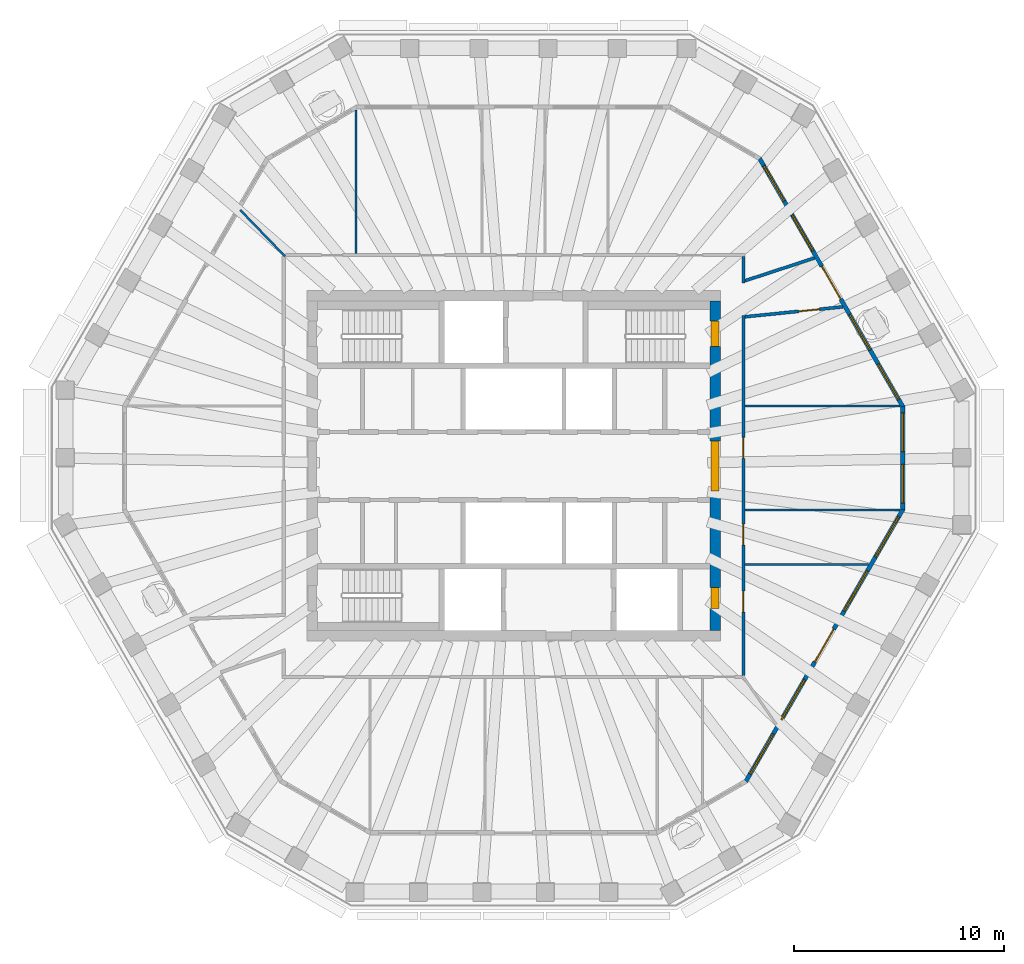
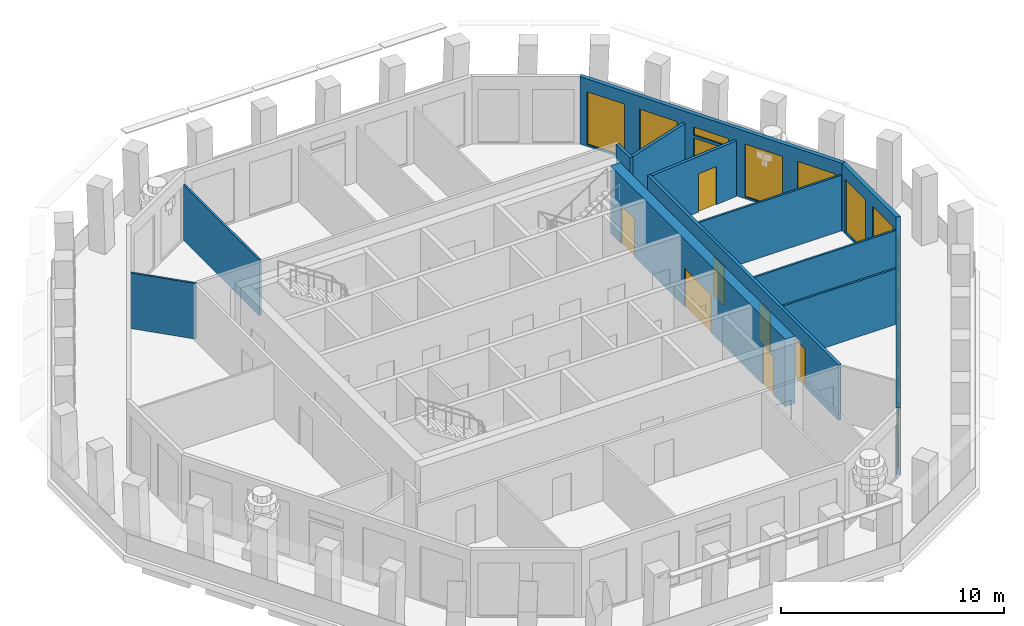
# One storey, part 6 of 11: 13 walls, 12 windows, 9 doors, 21 openings.
"""IFC4 building model written with IfcOpenShell, lengths in metres."""

from ifc_helpers import new_model, si_unit, direction, frame, frame_2d, origin, place, context, subcontext, project, spatial, polyline, rectangle, outline, extrude, material, layer, layer_set, type_object, element, fill, save


model = new_model("IFC4")

# Units and contexts
model_context = context("Model", 3, precision=1e-05, world=origin(), true_north=direction((0.0, 1.0)))
body_context = subcontext(model_context, "Body", "Model", "MODEL_VIEW")
ifc_project = project(units=[si_unit("LENGTHUNIT", "METRE"), si_unit("AREAUNIT", "SQUARE_METRE"), si_unit("VOLUMEUNIT", "CUBIC_METRE"), si_unit("PLANEANGLEUNIT", "RADIAN"), si_unit("MASSUNIT", "GRAM", prefix="KILO")], contexts=[model_context])

# Site, building, storey
site_placement = place(None, origin())
site = spatial("IfcSite", under=ifc_project, at=site_placement, CompositionType="ELEMENT")
building_placement = place(site_placement, origin())
building = spatial("IfcBuilding", under=site, at=building_placement, Name="Frailejon Research Tower", CompositionType="ELEMENT")
storey_placement = place(building_placement, frame((0.0, 0.0, 320.60009765625)))
storey = spatial("IfcBuildingStorey", under=building, at=storey_placement, Name="L71", CompositionType="ELEMENT", Elevation=320.60009765625)

# Wall, openings, doors
ifc_material_1 = material(Name="Concrete C50/60", Category="concrete")
ifc_layer_1 = layer(ifc_material_1, 0.5)
ifc_layer_set_1 = layer_set([ifc_layer_1], Name="Core shear wall 500 C50/60")
wall_type_1 = type_object("IfcWallType", Name="Core shear wall 500 C50/60", PredefinedType="SHEAR", material=ifc_layer_set_1)
wall_1_placement = place(storey_placement, frame((9.60009765625, -7.85009765625, 0.0), z_axis=(0.0, 0.0, 1.0), x_axis=(0.0, 1.0, 0.0)))
wall_1 = element("IfcWall", 1, at=wall_1_placement, inside=storey, type_object=wall_type_1, Name="Core shear wall", PredefinedType="SHEAR", context=body_context, shape_type="SweptSolid", body=[
    extrude(rectangle(XDim=15.7001953125, YDim=0.5, at=frame_2d((7.85009765625, 0.0))), origin(), (0.0, 0.0, 1.0), 3.699951171875),
])
opening_1_placement = place(wall_1_placement, frame((6.64990234375, 0.0, 0.0)))
opening_1 = element("IfcOpeningElement", 2, at=opening_1_placement, cuts=wall_1, Name="Opening D2", PredefinedType="OPENING", context=body_context, shape_type="SweptSolid", body=[
    extrude(rectangle(XDim=2.39990234375, YDim=2.10009765625, at=frame_2d((1.199951171875, 1.050048828125))), frame((0.0, 0.260009765625, 0.0), z_axis=(0.0, -1.0, 0.0), x_axis=(1.0, 0.0, 0.0)), (0.0, 0.0, 1.0), 0.52001953125),
])
opening_2_placement = place(wall_1_placement, frame((13.550048828125, 0.0, 0.0)))
opening_2 = element("IfcOpeningElement", 3, at=opening_2_placement, cuts=wall_1, Name="Opening D1", PredefinedType="OPENING", context=body_context, shape_type="SweptSolid", body=[
    extrude(rectangle(XDim=1.199951171875, YDim=2.10009765625, at=frame_2d((0.60009765625, 1.050048828125))), frame((0.0, 0.260009765625, 0.0), z_axis=(0.0, -1.0, 0.0), x_axis=(1.0, 0.0, 0.0)), (0.0, 0.0, 1.0), 0.52001953125),
])
opening_3_placement = place(wall_1_placement, frame((1.050048828125, 0.0, 0.0)))
opening_3 = element("IfcOpeningElement", 4, at=opening_3_placement, cuts=wall_1, Name="Opening D4", PredefinedType="OPENING", context=body_context, shape_type="SweptSolid", body=[
    extrude(rectangle(XDim=1.0, YDim=2.10009765625, at=frame_2d((0.5, 1.050048828125))), frame((0.0, 0.260009765625, 0.0), z_axis=(0.0, -1.0, 0.0), x_axis=(1.0, 0.0, 0.0)), (0.0, 0.0, 1.0), 0.52001953125),
])
ifc_material_2 = material(Name="Steel", Category="steel")
door_type_1 = type_object("IfcDoorType", Name="Lobby double door", OperationType="DOUBLE_DOOR_SINGLE_SWING", PredefinedType="DOOR", material=ifc_material_2)
door_1_placement = place(opening_1_placement, origin())
door_1 = element("IfcDoor", 5, at=door_1_placement, inside=storey, type_object=door_type_1, Name="Lobby door", OperationType="DOUBLE_DOOR_SINGLE_SWING", OverallHeight=2.10009765625, OverallWidth=2.39990234375, PredefinedType="DOOR", context=body_context, shape_type="SweptSolid", body=[
    extrude(rectangle(XDim=2.39990234375, YDim=2.10009765625, at=frame_2d((1.199951171875, 1.050048828125))), frame((0.0, 0.199951171875, 0.0), z_axis=(0.0, -1.0, 0.0), x_axis=(1.0, 0.0, 0.0)), (0.0, 0.0, 1.0), 0.39990234375),
])
fill(opening_1, door_1)
ifc_material_3 = material(Name="Steel", Category="steel")
door_type_2 = type_object("IfcDoorType", Name="Service door", OperationType="SINGLE_SWING_LEFT", PredefinedType="DOOR", material=ifc_material_3)
door_2_placement = place(opening_3_placement, origin())
door_2 = element("IfcDoor", 6, at=door_2_placement, inside=storey, type_object=door_type_2, Name="Riser door", OperationType="SINGLE_SWING_LEFT", OverallHeight=2.10009765625, OverallWidth=1.0, PredefinedType="DOOR", context=body_context, shape_type="SweptSolid", body=[
    extrude(rectangle(XDim=1.0, YDim=2.10009765625, at=frame_2d((0.5, 1.050048828125))), frame((0.0, 0.199951171875, 0.0), z_axis=(0.0, -1.0, 0.0), x_axis=(1.0, 0.0, 0.0)), (0.0, 0.0, 1.0), 0.39990234375),
])
fill(opening_3, door_2)
ifc_material_4 = material(Name="Steel", Category="steel")
door_type_3 = type_object("IfcDoorType", Name="Stair door", OperationType="SINGLE_SWING_LEFT", PredefinedType="DOOR", material=ifc_material_4)
door_3_placement = place(opening_2_placement, origin())
door_3 = element("IfcDoor", 7, at=door_3_placement, inside=storey, type_object=door_type_3, Name="Stair door ST3", OperationType="SINGLE_SWING_RIGHT", OverallHeight=2.10009765625, OverallWidth=1.199951171875, PredefinedType="DOOR", context=body_context, shape_type="SweptSolid", body=[
    extrude(rectangle(XDim=1.199951171875, YDim=2.10009765625, at=frame_2d((0.60009765625, 1.050048828125))), frame((0.0, 0.199951171875, 0.0), z_axis=(0.0, -1.0, 0.0), x_axis=(1.0, 0.0, 0.0)), (0.0, 0.0, 1.0), 0.39990234375),
])
fill(opening_2, door_3)

# Wall, opening, door
ifc_material_5 = material(Name="Gypsum board and masonry partition", Category="masonry")
ifc_layer_2 = layer(ifc_material_5, 0.14990234375)
ifc_layer_set_2 = layer_set([ifc_layer_2], Name="Corridor wall EI 60, gypsum on steel studs 150")
wall_type_2 = type_object("IfcWallType", Name="Corridor wall EI 60, gypsum on steel studs 150", PredefinedType="PARTITIONING", material=ifc_layer_set_2)
wall_2_placement = place(storey_placement, frame((11.024658203125, 7.107666015625, 0.0), z_axis=(0.0, 0.0, 1.0), x_axis=(0.99489386098, 0.100926732756, 0.0)))
wall_2 = element("IfcWall", 8, at=wall_2_placement, inside=storey, type_object=wall_type_2, Name="T:IW:L71:001", PredefinedType="PARTITIONING", context=body_context, shape_type="SweptSolid", body=[
    extrude(rectangle(XDim=4.68798828125, YDim=0.14990234375, at=frame_2d((2.343994140625, 0.0))), origin(), (0.0, 0.0, 1.0), 3.0498046875),
])
opening_4_placement = place(wall_2_placement, frame((2.572265625, 0.0, 0.0)))
opening_4 = element("IfcOpeningElement", 9, at=opening_4_placement, cuts=wall_2, Name="Opening D2333", PredefinedType="OPENING", context=body_context, shape_type="SweptSolid", body=[
    extrude(rectangle(XDim=1.0, YDim=2.10009765625, at=frame_2d((0.5, 1.050048828125))), frame((0.0, 0.0849609375, 0.0), z_axis=(0.0, -1.0, 0.0), x_axis=(1.0, 0.0, 0.0)), (0.0, 0.0, 1.0), 0.169921875),
])
ifc_material_6 = material(Name="Timber door leaf", Category="wood")
door_type_4 = type_object("IfcDoorType", Name="Door single leaf, timber, steel frame 1000", OperationType="NOTDEFINED", PredefinedType="DOOR", material=ifc_material_6)
door_4_placement = place(opening_4_placement, origin())
door_4 = element("IfcDoor", 10, at=door_4_placement, inside=storey, type_object=door_type_4, Name="D2333", OperationType="SINGLE_SWING_RIGHT", OverallHeight=2.10009765625, OverallWidth=1.0, PredefinedType="DOOR", context=body_context, shape_type="SweptSolid", body=[
    extrude(rectangle(XDim=1.0, YDim=2.10009765625, at=frame_2d((0.5, 1.050048828125))), frame((0.0, 0.02490234375, 0.0), z_axis=(0.0, -1.0, 0.0), x_axis=(1.0, 0.0, 0.0)), (0.0, 0.0, 1.0), 0.050048828125),
])
fill(opening_4, door_4)

# Wall
wall_3_placement = place(storey_placement, frame((11.021240234375, 8.8232421875, 0.0), z_axis=(0.0, 0.0, 1.0), x_axis=(0.950387368864, 0.311068881608, 0.0)))
element("IfcWall", 11, at=wall_3_placement, inside=storey, type_object=wall_type_2, Name="T:IW:L71:002", PredefinedType="PARTITIONING", context=body_context, shape_type="SweptSolid", body=[
    extrude(rectangle(XDim=3.49560546875, YDim=0.14990234375, at=frame_2d((1.747802734375, 0.0))), origin(), (0.0, 0.0, 1.0), 3.0498046875),
])

# Wall, openings, doors
wall_4_placement = place(storey_placement, frame((10.949951171875, -9.97509765625, 0.0), z_axis=(0.0, 0.0, 1.0), x_axis=(0.0, 1.0, 0.0)))
wall_4 = element("IfcWall", 12, at=wall_4_placement, inside=storey, type_object=wall_type_2, Name="T:IW:L71:003", PredefinedType="PARTITIONING", context=body_context, shape_type="SweptSolid", body=[
    extrude(rectangle(XDim=17.150146484375, YDim=0.14990234375, at=frame_2d((8.5751953125, 0.0))), origin(), (0.0, 0.0, 1.0), 3.0498046875),
])
opening_5_placement = place(wall_4_placement, frame((10.341796875, 0.0, 0.0)))
opening_5 = element("IfcOpeningElement", 13, at=opening_5_placement, cuts=wall_4, Name="Opening D2332", PredefinedType="OPENING", context=body_context, shape_type="SweptSolid", body=[
    extrude(rectangle(XDim=1.0, YDim=2.10009765625, at=frame_2d((0.5, 1.050048828125))), frame((0.0, 0.0849609375, 0.0), z_axis=(0.0, -1.0, 0.0), x_axis=(1.0, 0.0, 0.0)), (0.0, 0.0, 1.0), 0.169921875),
])
opening_6_placement = place(wall_4_placement, frame((3.010009765625, 0.0, 0.0)))
opening_6 = element("IfcOpeningElement", 14, at=opening_6_placement, cuts=wall_4, Name="Opening D2346", PredefinedType="OPENING", context=body_context, shape_type="SweptSolid", body=[
    extrude(rectangle(XDim=1.0, YDim=2.10009765625, at=frame_2d((0.5, 1.050048828125))), frame((0.0, 0.0849609375, 0.0), z_axis=(0.0, -1.0, 0.0), x_axis=(1.0, 0.0, 0.0)), (0.0, 0.0, 1.0), 0.169921875),
])
opening_7_placement = place(wall_4_placement, frame((6.205322265625, 0.0, 0.0)))
opening_7 = element("IfcOpeningElement", 15, at=opening_7_placement, cuts=wall_4, Name="Opening D2347", PredefinedType="OPENING", context=body_context, shape_type="SweptSolid", body=[
    extrude(rectangle(XDim=1.0, YDim=2.10009765625, at=frame_2d((0.5, 1.050048828125))), frame((0.0, 0.0849609375, 0.0), z_axis=(0.0, -1.0, 0.0), x_axis=(1.0, 0.0, 0.0)), (0.0, 0.0, 1.0), 0.169921875),
])
door_5_placement = place(opening_5_placement, origin())
door_5 = element("IfcDoor", 16, at=door_5_placement, inside=storey, type_object=door_type_4, Name="D2332", OperationType="SINGLE_SWING_RIGHT", OverallHeight=2.10009765625, OverallWidth=1.0, PredefinedType="DOOR", context=body_context, shape_type="SweptSolid", body=[
    extrude(rectangle(XDim=1.0, YDim=2.10009765625, at=frame_2d((0.5, 1.050048828125))), frame((0.0, 0.02490234375, 0.0), z_axis=(0.0, -1.0, 0.0), x_axis=(1.0, 0.0, 0.0)), (0.0, 0.0, 1.0), 0.050048828125),
])
fill(opening_5, door_5)
door_6_placement = place(opening_6_placement, origin())
door_6 = element("IfcDoor", 17, at=door_6_placement, inside=storey, type_object=door_type_4, Name="D2346", OperationType="SINGLE_SWING_RIGHT", OverallHeight=2.10009765625, OverallWidth=1.0, PredefinedType="DOOR", context=body_context, shape_type="SweptSolid", body=[
    extrude(rectangle(XDim=1.0, YDim=2.10009765625, at=frame_2d((0.5, 1.050048828125))), frame((0.0, 0.02490234375, 0.0), z_axis=(0.0, -1.0, 0.0), x_axis=(1.0, 0.0, 0.0)), (0.0, 0.0, 1.0), 0.050048828125),
])
fill(opening_6, door_6)
door_7_placement = place(opening_7_placement, origin())
door_7 = element("IfcDoor", 18, at=door_7_placement, inside=storey, type_object=door_type_4, Name="D2347", OperationType="SINGLE_SWING_LEFT", OverallHeight=2.10009765625, OverallWidth=1.0, PredefinedType="DOOR", context=body_context, shape_type="SweptSolid", body=[
    extrude(rectangle(XDim=1.0, YDim=2.10009765625, at=frame_2d((0.5, 1.050048828125))), frame((0.0, 0.02490234375, 0.0), z_axis=(0.0, -1.0, 0.0), x_axis=(1.0, 0.0, 0.0)), (0.0, 0.0, 1.0), 0.050048828125),
])
fill(opening_7, door_7)

# Walls
wall_5_placement = place(storey_placement, frame((10.949951171875, 8.72509765625, 0.0), z_axis=(0.0, 0.0, 1.0), x_axis=(0.0, 1.0, 0.0)))
element("IfcWall", 19, at=wall_5_placement, inside=storey, type_object=wall_type_2, Name="T:IW:L71:004", PredefinedType="PARTITIONING", context=body_context, shape_type="SweptSolid", body=[
    extrude(rectangle(XDim=1.25, YDim=0.14990234375, at=frame_2d((0.625, 0.0))), origin(), (0.0, 0.0, 1.0), 3.0498046875),
])
ifc_material_7 = material(Name="Gypsum board and masonry partition", Category="masonry")
ifc_layer_3 = layer(ifc_material_7, 0.10009765625)
ifc_layer_set_3 = layer_set([ifc_layer_3], Name="Partition, gypsum on steel studs 100")
wall_type_3 = type_object("IfcWallType", Name="Partition, gypsum on steel studs 100", PredefinedType="PARTITIONING", material=ifc_layer_set_3)
for number, where, z_axis, x_axis, name in (
    (20, (11.02490234375, 2.859619140625, 0.0), (0.0, 0.0, 1.0), (1.0, 0.0, 0.0), "T:IW:L71:012"),
    (21, (11.02490234375, -2.10546875, 0.0), (0.0, 0.0, 1.0), (1.0, 0.0, 0.0), "T:IW:L71:013"),
):
    element("IfcWall", number, at=place(storey_placement, frame(where, z_axis=z_axis, x_axis=x_axis)), inside=storey, type_object=wall_type_3, Name=name, PredefinedType="PARTITIONING", context=body_context, shape_type="SweptSolid", body=[
        extrude(rectangle(XDim=7.389404296875, YDim=0.10009765625, at=frame_2d((3.69482421875, 0.0))), origin(), (0.0, 0.0, 1.0), 3.0498046875),
    ])
wall_6_placement = place(storey_placement, frame((-7.499267578125, 10.125, 0.0), z_axis=(0.0, 0.0, 1.0), x_axis=(0.0, 1.0, 0.0)))
element("IfcWall", 22, at=wall_6_placement, inside=storey, type_object=wall_type_3, Name="T:IW:L71:017", PredefinedType="PARTITIONING", context=body_context, shape_type="SweptSolid", body=[
    extrude(rectangle(XDim=6.843994140625, YDim=0.10009765625, at=frame_2d((3.421875, 0.0))), origin(), (0.0, 0.0, 1.0), 3.0498046875),
])
wall_7_placement = place(storey_placement, frame((-13.02392578125, 12.1962890625, 0.0), z_axis=(0.0, 0.0, 1.0), x_axis=(0.694873579573, -0.719131913081, 0.0)))
element("IfcWall", 23, at=wall_7_placement, inside=storey, type_object=wall_type_3, Name="T:IW:L71:018", PredefinedType="PARTITIONING", context=body_context, shape_type="SweptSolid", body=[
    extrude(rectangle(XDim=3.0595703125, YDim=0.10009765625, at=frame_2d((1.52978515625, 0.0))), origin(), (0.0, 0.0, 1.0), 3.0498046875),
])
wall_8_placement = place(storey_placement, frame((11.02490234375, -4.703369140625, 0.0), z_axis=(0.0, 0.0, 1.0), x_axis=(1.0, 0.0, 0.0)))
element("IfcWall", 24, at=wall_8_placement, inside=storey, type_object=wall_type_3, Name="T:IW:L71:024", PredefinedType="PARTITIONING", context=body_context, shape_type="SweptSolid", body=[
    extrude(rectangle(XDim=5.8896484375, YDim=0.10009765625, at=frame_2d((2.94482421875, 0.0))), origin(), (0.0, 0.0, 1.0), 3.0498046875),
])

# Wall, openings, windows
ifc_material_8 = material(Name="Concrete C40/50 precast window wall panel", Category="concrete")
ifc_layer_4 = layer(ifc_material_8, 0.199951171875)
ifc_layer_set_4 = layer_set([ifc_layer_4], Name="Window wall 200")
wall_type_4 = type_object("IfcWallType", Name="Window wall 200", PredefinedType="SOLIDWALL", material=ifc_layer_set_4)
wall_9_placement = place(storey_placement, frame((18.545166015625, -2.07861328125, 0.0), z_axis=(0.0, 0.0, 1.0), x_axis=(0.0, 1.0, 0.0)))
wall_9 = element("IfcWall", 25, at=wall_9_placement, inside=storey, type_object=wall_type_4, Name="Exterior wall L71", PredefinedType="SOLIDWALL", context=body_context, shape_type="SweptSolid", body=[
    extrude(outline(polyline([(-0.02685546875, -0.10009765625), (1.21435546875, -0.10009765625), (2.455810546875, -0.10009765625), (3.697265625, -0.10009765625), (4.9384765625, -0.10009765625), (4.884765625, 0.10009765625), (3.67041015625, 0.10009765625), (2.455810546875, 0.10009765625), (1.2412109375, 0.10009765625), (0.02685546875, 0.10009765625), (-0.02685546875, -0.10009765625)])), origin(), (0.0, 0.0, 1.0), 3.699951171875),
])
opening_8_placement = place(wall_9_placement, frame((0.302978515625, 0.0, 0.10009765625)))
opening_8 = element("IfcOpeningElement", 26, at=opening_8_placement, cuts=wall_9, Name="Opening W26", PredefinedType="OPENING", context=body_context, shape_type="SweptSolid", body=[
    extrude(rectangle(XDim=1.85009765625, YDim=2.89990234375, at=frame_2d((0.925048828125, 1.449951171875))), frame((0.0, 0.10986328125, 0.0), z_axis=(0.0, -1.0, 0.0), x_axis=(1.0, 0.0, 0.0)), (0.0, 0.0, 1.0), 0.219970703125),
])
opening_9_placement = place(wall_9_placement, frame((2.7587890625, 0.0, 0.10009765625)))
opening_9 = element("IfcOpeningElement", 27, at=opening_9_placement, cuts=wall_9, Name="Opening W26", PredefinedType="OPENING", context=body_context, shape_type="SweptSolid", body=[
    extrude(rectangle(XDim=1.85009765625, YDim=2.89990234375, at=frame_2d((0.925048828125, 1.449951171875))), frame((0.0, 0.10986328125, 0.0), z_axis=(0.0, -1.0, 0.0), x_axis=(1.0, 0.0, 0.0)), (0.0, 0.0, 1.0), 0.219970703125),
])
ifc_material_9 = material(Name="Aluminium framed double glazing", Category="aluminium")
window_type_1 = type_object("IfcWindowType", Name="Window 1850x2900", PartitioningType="SINGLE_PANEL", PredefinedType="WINDOW", material=ifc_material_9)
window_1_placement = place(opening_8_placement, origin())
window_1 = element("IfcWindow", 28, at=window_1_placement, inside=storey, type_object=window_type_1, Name="Window L71", OverallHeight=2.89990234375, OverallWidth=1.85009765625, PartitioningType="SINGLE_PANEL", PredefinedType="WINDOW", context=body_context, shape_type="SweptSolid", body=[
    extrude(rectangle(XDim=1.85009765625, YDim=2.89990234375, at=frame_2d((0.925048828125, 1.449951171875))), frame((0.0, 0.030029296875, 0.0), z_axis=(0.0, -1.0, 0.0), x_axis=(1.0, 0.0, 0.0)), (0.0, 0.0, 1.0), 0.06005859375),
])
fill(opening_8, window_1)
window_2_placement = place(opening_9_placement, origin())
window_2 = element("IfcWindow", 29, at=window_2_placement, inside=storey, type_object=window_type_1, Name="Window L71", OverallHeight=2.89990234375, OverallWidth=1.85009765625, PartitioningType="SINGLE_PANEL", PredefinedType="WINDOW", context=body_context, shape_type="SweptSolid", body=[
    extrude(rectangle(XDim=1.85009765625, YDim=2.89990234375, at=frame_2d((0.925048828125, 1.449951171875))), frame((0.0, 0.030029296875, 0.0), z_axis=(0.0, -1.0, 0.0), x_axis=(1.0, 0.0, 0.0)), (0.0, 0.0, 1.0), 0.06005859375),
])
fill(opening_9, window_2)

# Wall, openings, door, windows
wall_10_placement = place(storey_placement, frame((18.545166015625, 2.8330078125, 0.0), z_axis=(0.0, 0.0, 1.0), x_axis=(-0.49999155959, 0.866030276803, 0.0)))
wall_10 = element("IfcWall", 30, at=wall_10_placement, inside=storey, type_object=wall_type_4, Name="Exterior wall L71", PredefinedType="SOLIDWALL", context=body_context, shape_type="SweptSolid", body=[
    extrude(outline(polyline([(-0.02685546875, -0.10009765625), (1.0263671875, -0.10009765625), (2.07958984375, -0.10009765625), (3.1328125, -0.10009765625), (4.18603515625, -0.10009765625), (5.2392578125, -0.10009765625), (6.29248046875, -0.10009765625), (7.345947265625, -0.10009765625), (8.399169921875, -0.10009765625), (9.452392578125, -0.10009765625), (10.505615234375, -0.10009765625), (11.558837890625, -0.10009765625), (12.612060546875, -0.10009765625), (13.665283203125, -0.10009765625), (13.611572265625, 0.10009765625), (12.566650390625, 0.10009765625), (11.521728515625, 0.10009765625), (10.4765625, 0.10009765625), (9.431640625, 0.10009765625), (8.38671875, 0.10009765625), (7.341796875, 0.10009765625), (6.296630859375, 0.10009765625), (5.251708984375, 0.10009765625), (4.206787109375, 0.10009765625), (3.161865234375, 0.10009765625), (2.11669921875, 0.10009765625), (1.07177734375, 0.10009765625), (0.02685546875, 0.10009765625), (-0.02685546875, -0.10009765625)])), origin(), (0.0, 0.0, 1.0), 3.699951171875),
])
opening_10_placement = place(wall_10_placement, frame((0.388916015625, 0.0, 0.10009765625)))
opening_10 = element("IfcOpeningElement", 31, at=opening_10_placement, cuts=wall_10, Name="Opening W27", PredefinedType="OPENING", context=body_context, shape_type="SweptSolid", body=[
    extrude(rectangle(XDim=1.949951171875, YDim=2.89990234375, at=frame_2d((0.97509765625, 1.449951171875))), frame((0.0, 0.10986328125, 0.0), z_axis=(0.0, -1.0, 0.0), x_axis=(1.0, 0.0, 0.0)), (0.0, 0.0, 1.0), 0.219970703125),
])
opening_11_placement = place(wall_10_placement, frame((3.116455078125, 0.0, 0.10009765625)))
opening_11 = element("IfcOpeningElement", 32, at=opening_11_placement, cuts=wall_10, Name="Opening W27", PredefinedType="OPENING", context=body_context, shape_type="SweptSolid", body=[
    extrude(rectangle(XDim=1.949951171875, YDim=2.89990234375, at=frame_2d((0.97509765625, 1.449951171875))), frame((0.0, 0.10986328125, 0.0), z_axis=(0.0, -1.0, 0.0), x_axis=(1.0, 0.0, 0.0)), (0.0, 0.0, 1.0), 0.219970703125),
])
opening_12_placement = place(wall_10_placement, frame((5.919189453125, 0.0, 0.0)))
opening_12 = element("IfcOpeningElement", 33, at=opening_12_placement, cuts=wall_10, Name="Opening LG71-1", PredefinedType="OPENING", context=body_context, shape_type="SweptSolid", body=[
    extrude(rectangle(XDim=1.800048828125, YDim=2.39990234375, at=frame_2d((0.89990234375, 1.199951171875))), frame((0.0, 0.10986328125, 0.0), z_axis=(0.0, -1.0, 0.0), x_axis=(1.0, 0.0, 0.0)), (0.0, 0.0, 1.0), 0.219970703125),
])
opening_13_placement = place(wall_10_placement, frame((5.919189453125, 0.0, 2.550048828125)))
opening_13 = element("IfcOpeningElement", 34, at=opening_13_placement, cuts=wall_10, Name="Opening W1", PredefinedType="OPENING", context=body_context, shape_type="SweptSolid", body=[
    extrude(rectangle(XDim=1.800048828125, YDim=0.449951171875, at=frame_2d((0.89990234375, 0.22509765625))), frame((0.0, 0.10986328125, 0.0), z_axis=(0.0, -1.0, 0.0), x_axis=(1.0, 0.0, 0.0)), (0.0, 0.0, 1.0), 0.219970703125),
])
opening_14_placement = place(wall_10_placement, frame((8.572021484375, 0.0, 0.10009765625)))
opening_14 = element("IfcOpeningElement", 35, at=opening_14_placement, cuts=wall_10, Name="Opening W27", PredefinedType="OPENING", context=body_context, shape_type="SweptSolid", body=[
    extrude(rectangle(XDim=1.949951171875, YDim=2.89990234375, at=frame_2d((0.97509765625, 1.449951171875))), frame((0.0, 0.10986328125, 0.0), z_axis=(0.0, -1.0, 0.0), x_axis=(1.0, 0.0, 0.0)), (0.0, 0.0, 1.0), 0.219970703125),
])
opening_15_placement = place(wall_10_placement, frame((11.299560546875, 0.0, 0.10009765625)))
opening_15 = element("IfcOpeningElement", 36, at=opening_15_placement, cuts=wall_10, Name="Opening W27", PredefinedType="OPENING", context=body_context, shape_type="SweptSolid", body=[
    extrude(rectangle(XDim=1.949951171875, YDim=2.89990234375, at=frame_2d((0.97509765625, 1.449951171875))), frame((0.0, 0.10986328125, 0.0), z_axis=(0.0, -1.0, 0.0), x_axis=(1.0, 0.0, 0.0)), (0.0, 0.0, 1.0), 0.219970703125),
])
ifc_material_10 = material(Name="Aluminium framed glazed door leaf", Category="aluminium")
door_type_5 = type_object("IfcDoorType", Name="Loggia door 1800x2400", OperationType="DOUBLE_DOOR_SINGLE_SWING", PredefinedType="DOOR", material=ifc_material_10)
door_8_placement = place(opening_12_placement, origin())
door_8 = element("IfcDoor", 37, at=door_8_placement, inside=storey, type_object=door_type_5, Name="Door LG71-1", OperationType="DOUBLE_DOOR_SINGLE_SWING", OverallHeight=2.39990234375, OverallWidth=1.800048828125, PredefinedType="DOOR", context=body_context, shape_type="SweptSolid", body=[
    extrude(rectangle(XDim=1.800048828125, YDim=2.39990234375, at=frame_2d((0.89990234375, 1.199951171875))), frame((0.0, 0.02490234375, 0.0), z_axis=(0.0, -1.0, 0.0), x_axis=(1.0, 0.0, 0.0)), (0.0, 0.0, 1.0), 0.050048828125),
])
fill(opening_12, door_8)
ifc_material_11 = material(Name="Aluminium framed double glazing", Category="aluminium")
window_type_2 = type_object("IfcWindowType", Name="Window 1800x450", PartitioningType="SINGLE_PANEL", PredefinedType="WINDOW", material=ifc_material_11)
window_3_placement = place(opening_13_placement, origin())
window_3 = element("IfcWindow", 38, at=window_3_placement, inside=storey, type_object=window_type_2, Name="Window L71", OverallHeight=0.449951171875, OverallWidth=1.800048828125, PartitioningType="SINGLE_PANEL", PredefinedType="WINDOW", context=body_context, shape_type="SweptSolid", body=[
    extrude(rectangle(XDim=1.800048828125, YDim=0.449951171875, at=frame_2d((0.89990234375, 0.22509765625))), frame((0.0, 0.030029296875, 0.0), z_axis=(0.0, -1.0, 0.0), x_axis=(1.0, 0.0, 0.0)), (0.0, 0.0, 1.0), 0.06005859375),
])
fill(opening_13, window_3)
ifc_material_12 = material(Name="Aluminium framed double glazing", Category="aluminium")
window_type_3 = type_object("IfcWindowType", Name="Window 1950x2900", PartitioningType="SINGLE_PANEL", PredefinedType="WINDOW", material=ifc_material_12)
window_4_placement = place(opening_10_placement, origin())
window_4 = element("IfcWindow", 39, at=window_4_placement, inside=storey, type_object=window_type_3, Name="Window L71", OverallHeight=2.89990234375, OverallWidth=1.949951171875, PartitioningType="SINGLE_PANEL", PredefinedType="WINDOW", context=body_context, shape_type="SweptSolid", body=[
    extrude(rectangle(XDim=1.949951171875, YDim=2.89990234375, at=frame_2d((0.97509765625, 1.449951171875))), frame((0.0, 0.030029296875, 0.0), z_axis=(0.0, -1.0, 0.0), x_axis=(1.0, 0.0, 0.0)), (0.0, 0.0, 1.0), 0.06005859375),
])
fill(opening_10, window_4)
window_5_placement = place(opening_11_placement, origin())
window_5 = element("IfcWindow", 40, at=window_5_placement, inside=storey, type_object=window_type_3, Name="Window L71", OverallHeight=2.89990234375, OverallWidth=1.949951171875, PartitioningType="SINGLE_PANEL", PredefinedType="WINDOW", context=body_context, shape_type="SweptSolid", body=[
    extrude(rectangle(XDim=1.949951171875, YDim=2.89990234375, at=frame_2d((0.97509765625, 1.449951171875))), frame((0.0, 0.030029296875, 0.0), z_axis=(0.0, -1.0, 0.0), x_axis=(1.0, 0.0, 0.0)), (0.0, 0.0, 1.0), 0.06005859375),
])
fill(opening_11, window_5)
window_6_placement = place(opening_14_placement, origin())
window_6 = element("IfcWindow", 41, at=window_6_placement, inside=storey, type_object=window_type_3, Name="Window L71", OverallHeight=2.89990234375, OverallWidth=1.949951171875, PartitioningType="SINGLE_PANEL", PredefinedType="WINDOW", context=body_context, shape_type="SweptSolid", body=[
    extrude(rectangle(XDim=1.949951171875, YDim=2.89990234375, at=frame_2d((0.97509765625, 1.449951171875))), frame((0.0, 0.030029296875, 0.0), z_axis=(0.0, -1.0, 0.0), x_axis=(1.0, 0.0, 0.0)), (0.0, 0.0, 1.0), 0.06005859375),
])
fill(opening_14, window_6)
window_7_placement = place(opening_15_placement, origin())
window_7 = element("IfcWindow", 42, at=window_7_placement, inside=storey, type_object=window_type_3, Name="Window L71", OverallHeight=2.89990234375, OverallWidth=1.949951171875, PartitioningType="SINGLE_PANEL", PredefinedType="WINDOW", context=body_context, shape_type="SweptSolid", body=[
    extrude(rectangle(XDim=1.949951171875, YDim=2.89990234375, at=frame_2d((0.97509765625, 1.449951171875))), frame((0.0, 0.030029296875, 0.0), z_axis=(0.0, -1.0, 0.0), x_axis=(1.0, 0.0, 0.0)), (0.0, 0.0, 1.0), 0.06005859375),
])
fill(opening_15, window_7)

wall_11_placement = place(storey_placement, frame((11.07275390625, -15.021240234375, 0.0), z_axis=(0.0, 0.0, 1.0), x_axis=(0.499999144553, 0.866025897676, 0.0)))
wall_11 = element("IfcWall", 43, at=wall_11_placement, inside=storey, type_object=wall_type_4, Name="Exterior wall L71", PredefinedType="SOLIDWALL", context=body_context, shape_type="SweptSolid", body=[
    extrude(outline(polyline([(-0.02685546875, -0.10009765625), (1.04443359375, -0.10009765625), (2.11572265625, -0.10009765625), (3.18701171875, -0.10009765625), (4.258544921875, -0.10009765625), (5.329833984375, -0.10009765625), (6.401123046875, -0.10009765625), (7.472412109375, -0.10009765625), (8.543701171875, -0.10009765625), (9.614990234375, -0.10009765625), (10.686279296875, -0.10009765625), (11.7578125, -0.10009765625), (12.8291015625, -0.10009765625), (13.900390625, -0.10009765625), (14.9716796875, -0.10009765625), (14.91796875, 0.10009765625), (13.854248046875, 0.10009765625), (12.790771484375, 0.10009765625), (11.72705078125, 0.10009765625), (10.663330078125, 0.10009765625), (9.599609375, 0.10009765625), (8.5361328125, 0.10009765625), (7.472412109375, 0.10009765625), (6.40869140625, 0.10009765625), (5.34521484375, 0.10009765625), (4.281494140625, 0.10009765625), (3.2177734375, 0.10009765625), (2.154052734375, 0.10009765625), (1.090576171875, 0.10009765625), (0.02685546875, 0.10009765625), (-0.02685546875, -0.10009765625)])), origin(), (0.0, 0.0, 1.0), 3.699951171875),
])
opening_16_placement = place(wall_11_placement, frame((0.39453125, 0.0, 0.10009765625)))
opening_16 = element("IfcOpeningElement", 44, at=opening_16_placement, cuts=wall_11, Name="Opening W28", PredefinedType="OPENING", context=body_context, shape_type="SweptSolid", body=[
    extrude(rectangle(XDim=2.199951171875, YDim=2.89990234375, at=frame_2d((1.10009765625, 1.449951171875))), frame((0.0, 0.10986328125, 0.0), z_axis=(0.0, -1.0, 0.0), x_axis=(1.0, 0.0, 0.0)), (0.0, 0.0, 1.0), 0.219970703125),
])
opening_17_placement = place(wall_11_placement, frame((3.383544921875, 0.0, 0.10009765625)))
opening_17 = element("IfcOpeningElement", 45, at=opening_17_placement, cuts=wall_11, Name="Opening W28", PredefinedType="OPENING", context=body_context, shape_type="SweptSolid", body=[
    extrude(rectangle(XDim=2.199951171875, YDim=2.89990234375, at=frame_2d((1.10009765625, 1.449951171875))), frame((0.0, 0.10986328125, 0.0), z_axis=(0.0, -1.0, 0.0), x_axis=(1.0, 0.0, 0.0)), (0.0, 0.0, 1.0), 0.219970703125),
])
opening_18_placement = place(wall_11_placement, frame((6.572509765625, 0.0, 0.0)))
opening_18 = element("IfcOpeningElement", 46, at=opening_18_placement, cuts=wall_11, Name="Opening LG71-6", PredefinedType="OPENING", context=body_context, shape_type="SweptSolid", body=[
    extrude(rectangle(XDim=1.800048828125, YDim=2.39990234375, at=frame_2d((0.89990234375, 1.199951171875))), frame((0.0, 0.10986328125, 0.0), z_axis=(0.0, -1.0, 0.0), x_axis=(1.0, 0.0, 0.0)), (0.0, 0.0, 1.0), 0.219970703125),
])
opening_19_placement = place(wall_11_placement, frame((6.572509765625, 0.0, 2.550048828125)))
opening_19 = element("IfcOpeningElement", 47, at=opening_19_placement, cuts=wall_11, Name="Opening W1", PredefinedType="OPENING", context=body_context, shape_type="SweptSolid", body=[
    extrude(rectangle(XDim=1.800048828125, YDim=0.449951171875, at=frame_2d((0.89990234375, 0.22509765625))), frame((0.0, 0.10986328125, 0.0), z_axis=(0.0, -1.0, 0.0), x_axis=(1.0, 0.0, 0.0)), (0.0, 0.0, 1.0), 0.219970703125),
])
opening_20_placement = place(wall_11_placement, frame((9.361328125, 0.0, 0.10009765625)))
opening_20 = element("IfcOpeningElement", 48, at=opening_20_placement, cuts=wall_11, Name="Opening W28", PredefinedType="OPENING", context=body_context, shape_type="SweptSolid", body=[
    extrude(rectangle(XDim=2.199951171875, YDim=2.89990234375, at=frame_2d((1.10009765625, 1.449951171875))), frame((0.0, 0.10986328125, 0.0), z_axis=(0.0, -1.0, 0.0), x_axis=(1.0, 0.0, 0.0)), (0.0, 0.0, 1.0), 0.219970703125),
])
opening_21_placement = place(wall_11_placement, frame((12.350341796875, 0.0, 0.10009765625)))
opening_21 = element("IfcOpeningElement", 49, at=opening_21_placement, cuts=wall_11, Name="Opening W28", PredefinedType="OPENING", context=body_context, shape_type="SweptSolid", body=[
    extrude(rectangle(XDim=2.199951171875, YDim=2.89990234375, at=frame_2d((1.10009765625, 1.449951171875))), frame((0.0, 0.10986328125, 0.0), z_axis=(0.0, -1.0, 0.0), x_axis=(1.0, 0.0, 0.0)), (0.0, 0.0, 1.0), 0.219970703125),
])
door_9_placement = place(opening_18_placement, origin())
door_9 = element("IfcDoor", 50, at=door_9_placement, inside=storey, type_object=door_type_5, Name="Door LG71-6", OperationType="DOUBLE_DOOR_SINGLE_SWING", OverallHeight=2.39990234375, OverallWidth=1.800048828125, PredefinedType="DOOR", context=body_context, shape_type="SweptSolid", body=[
    extrude(rectangle(XDim=1.800048828125, YDim=2.39990234375, at=frame_2d((0.89990234375, 1.199951171875))), frame((0.0, 0.02490234375, 0.0), z_axis=(0.0, -1.0, 0.0), x_axis=(1.0, 0.0, 0.0)), (0.0, 0.0, 1.0), 0.050048828125),
])
fill(opening_18, door_9)
window_8_placement = place(opening_19_placement, origin())
window_8 = element("IfcWindow", 51, at=window_8_placement, inside=storey, type_object=window_type_2, Name="Window L71", OverallHeight=0.449951171875, OverallWidth=1.800048828125, PartitioningType="SINGLE_PANEL", PredefinedType="WINDOW", context=body_context, shape_type="SweptSolid", body=[
    extrude(rectangle(XDim=1.800048828125, YDim=0.449951171875, at=frame_2d((0.89990234375, 0.22509765625))), frame((0.0, 0.030029296875, 0.0), z_axis=(0.0, -1.0, 0.0), x_axis=(1.0, 0.0, 0.0)), (0.0, 0.0, 1.0), 0.06005859375),
])
fill(opening_19, window_8)
ifc_material_13 = material(Name="Aluminium framed double glazing", Category="aluminium")
window_type_4 = type_object("IfcWindowType", Name="Window 2200x2900", PartitioningType="SINGLE_PANEL", PredefinedType="WINDOW", material=ifc_material_13)
window_9_placement = place(opening_16_placement, origin())
window_9 = element("IfcWindow", 52, at=window_9_placement, inside=storey, type_object=window_type_4, Name="Window L71", OverallHeight=2.89990234375, OverallWidth=2.199951171875, PartitioningType="SINGLE_PANEL", PredefinedType="WINDOW", context=body_context, shape_type="SweptSolid", body=[
    extrude(rectangle(XDim=2.199951171875, YDim=2.89990234375, at=frame_2d((1.10009765625, 1.449951171875))), frame((0.0, 0.030029296875, 0.0), z_axis=(0.0, -1.0, 0.0), x_axis=(1.0, 0.0, 0.0)), (0.0, 0.0, 1.0), 0.06005859375),
])
fill(opening_16, window_9)
window_10_placement = place(opening_17_placement, origin())
window_10 = element("IfcWindow", 53, at=window_10_placement, inside=storey, type_object=window_type_4, Name="Window L71", OverallHeight=2.89990234375, OverallWidth=2.199951171875, PartitioningType="SINGLE_PANEL", PredefinedType="WINDOW", context=body_context, shape_type="SweptSolid", body=[
    extrude(rectangle(XDim=2.199951171875, YDim=2.89990234375, at=frame_2d((1.10009765625, 1.449951171875))), frame((0.0, 0.030029296875, 0.0), z_axis=(0.0, -1.0, 0.0), x_axis=(1.0, 0.0, 0.0)), (0.0, 0.0, 1.0), 0.06005859375),
])
fill(opening_17, window_10)
window_11_placement = place(opening_20_placement, origin())
window_11 = element("IfcWindow", 54, at=window_11_placement, inside=storey, type_object=window_type_4, Name="Window L71", OverallHeight=2.89990234375, OverallWidth=2.199951171875, PartitioningType="SINGLE_PANEL", PredefinedType="WINDOW", context=body_context, shape_type="SweptSolid", body=[
    extrude(rectangle(XDim=2.199951171875, YDim=2.89990234375, at=frame_2d((1.10009765625, 1.449951171875))), frame((0.0, 0.030029296875, 0.0), z_axis=(0.0, -1.0, 0.0), x_axis=(1.0, 0.0, 0.0)), (0.0, 0.0, 1.0), 0.06005859375),
])
fill(opening_20, window_11)
window_12_placement = place(opening_21_placement, origin())
window_12 = element("IfcWindow", 55, at=window_12_placement, inside=storey, type_object=window_type_4, Name="Window L71", OverallHeight=2.89990234375, OverallWidth=2.199951171875, PartitioningType="SINGLE_PANEL", PredefinedType="WINDOW", context=body_context, shape_type="SweptSolid", body=[
    extrude(rectangle(XDim=2.199951171875, YDim=2.89990234375, at=frame_2d((1.10009765625, 1.449951171875))), frame((0.0, 0.030029296875, 0.0), z_axis=(0.0, -1.0, 0.0), x_axis=(1.0, 0.0, 0.0)), (0.0, 0.0, 1.0), 0.06005859375),
])
fill(opening_21, window_12)

save(model, "model.ifc")
